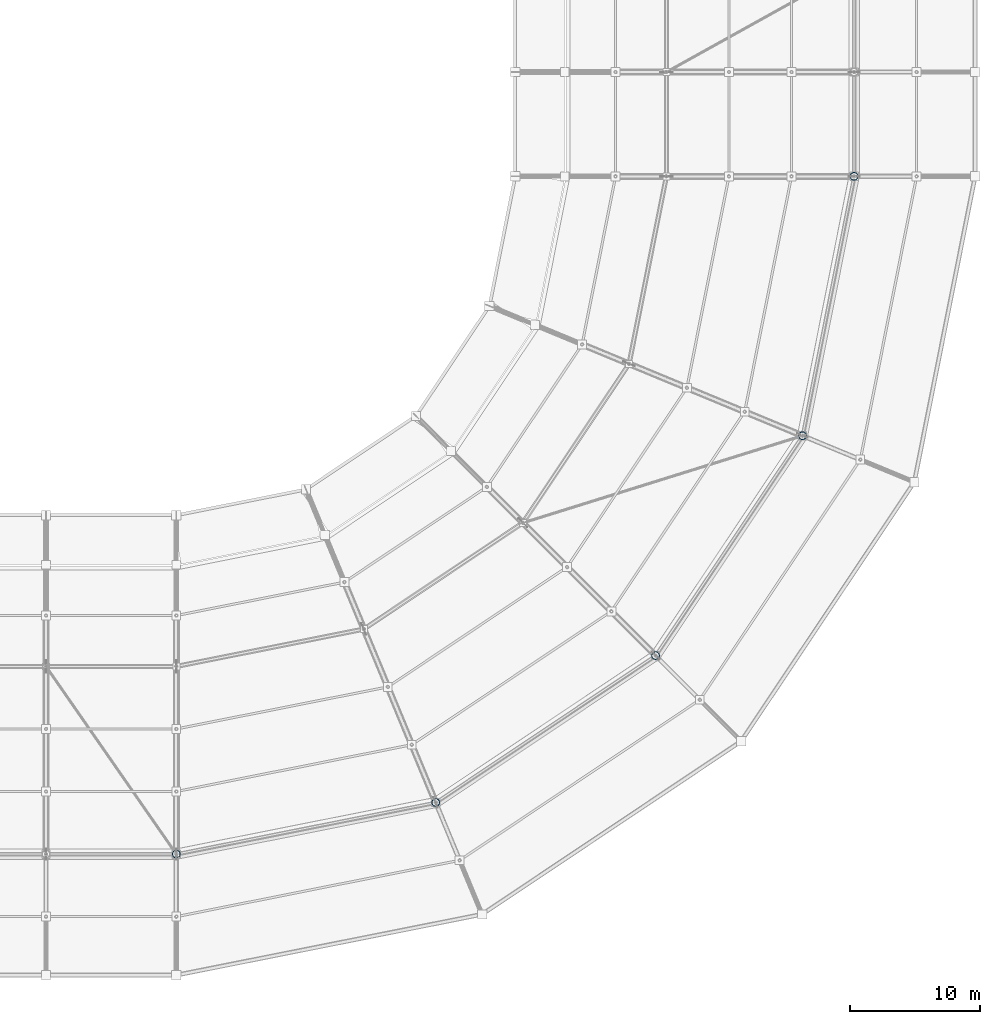
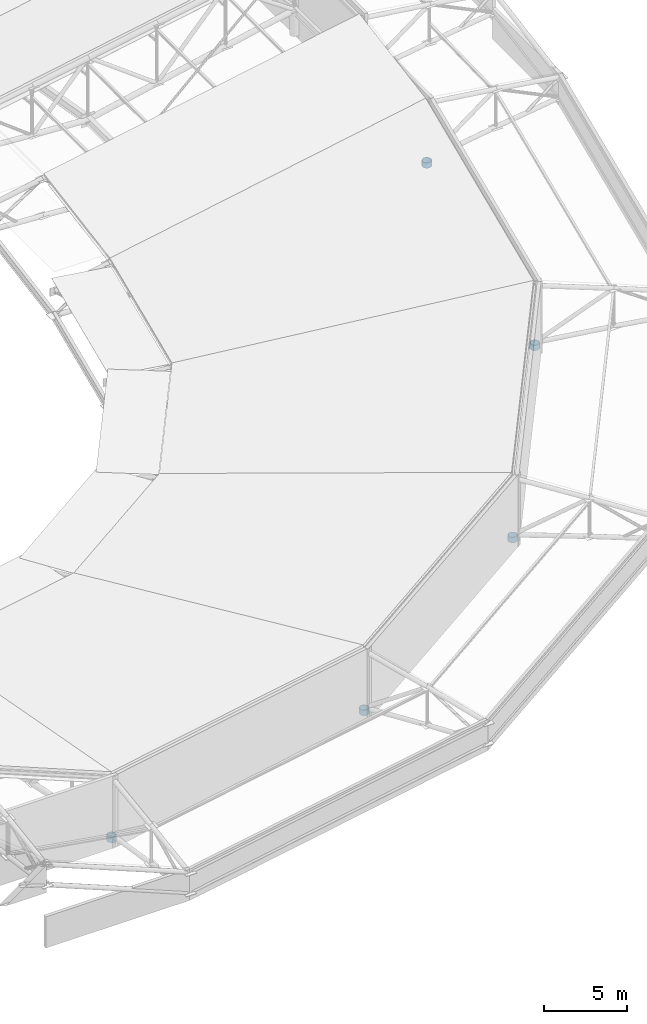
# One storey, part 10 of 146: 5 columns.
"""IFC4 building model written with IfcOpenShell, lengths in metres."""

from ifc_helpers import new_model, si_unit, direction, frame, origin, origin_2d, place, context, subcontext, project, spatial, hollow_circle, extrude, material, material_profile, profile_set, type_object, element, save


model = new_model("IFC4")

# Units and contexts
model_context = context("Model", 3, precision=1e-05, world=origin(), true_north=direction((0.0, 1.0)))
body_context = subcontext(model_context, "Body", "Model", "MODEL_VIEW")
ifc_project = project(units=[si_unit("LENGTHUNIT", "METRE"), si_unit("AREAUNIT", "SQUARE_METRE"), si_unit("VOLUMEUNIT", "CUBIC_METRE"), si_unit("PLANEANGLEUNIT", "RADIAN"), si_unit("MASSUNIT", "GRAM", prefix="KILO")], contexts=[model_context])

# Site, building, storey
site_placement = place(None, origin())
site = spatial("IfcSite", under=ifc_project, at=site_placement, CompositionType="ELEMENT")
building_placement = place(site_placement, origin())
building = spatial("IfcBuilding", under=site, at=building_placement, Name="Candeia Ridge Stadium", CompositionType="ELEMENT")
storey_placement = place(building_placement, frame((0.0, 0.0, 31.800048828125)))
storey = spatial("IfcBuildingStorey", under=building, at=storey_placement, Name="RF", CompositionType="ELEMENT", Elevation=31.800048828125)

# Columns
ifc_material = material(Name="Steel ASTM A572 Grade 50", Category="steel")
ifc_material_profile = material_profile(ifc_material, hollow_circle(Radius=0.304931640625, WallThickness=0.02490234375, at=origin_2d()), Name="CHS610x25", Category="steel")
ifc_profile_set = profile_set([ifc_material_profile], Name="Steel ASTM A572 Grade 50")
column_type = type_object("IfcColumnType", Name="Roof Mast Column CHS610x25", PredefinedType="PILASTER", material=ifc_profile_set)
for number, where, z_axis, x_axis, name in (
    (1, (141.0, 19.0, 0.0), (0.0, 0.0, 1.0), (1.0, 0.0, 0.0), "Roof truss steel mast column BC-OU-25 RF"),
    (2, (160.899658203125, 22.958251953125, 0.0), (0.0, 0.0, 1.0), (1.0, 0.0, 0.0), "Roof truss steel mast column BC-OU-26 RF"),
    (3, (177.76953125, 34.23046875, 0.0), (0.0, 0.0, 1.0), (1.0, 0.0, 0.0), "Roof truss steel mast column BC-OU-27 RF"),
    (4, (189.041748046875, 51.100341796875, 0.0), (0.0, 0.0, 1.0), (1.0, 0.0, 0.0), "Roof truss steel mast column BC-OU-28 RF"),
    (5, (193.0, 71.0, 0.0), (0.0, 0.0, 1.0), (1.0, 0.0, 0.0), "Roof truss steel mast column BC-OU-29 RF"),
):
    element("IfcColumn", number, at=place(storey_placement, frame(where, z_axis=z_axis, x_axis=x_axis)), inside=storey, type_object=column_type, Name=name, PredefinedType="PILASTER", context=body_context, shape_type="SweptSolid", body=[
        extrude(hollow_circle(Radius=0.304931640625, WallThickness=0.02490234375, at=origin_2d()), origin(), (0.0, 0.0, 1.0), 0.39990234375),
    ])

save(model, "model.ifc")
